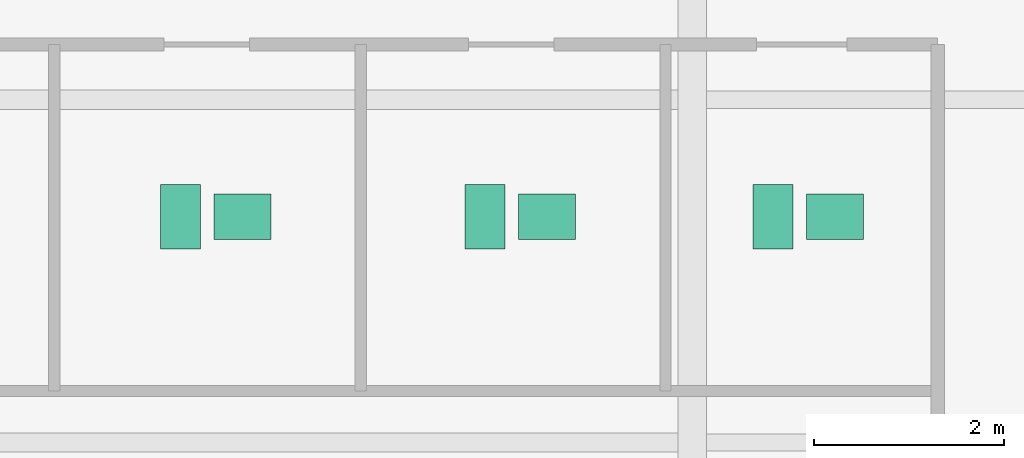
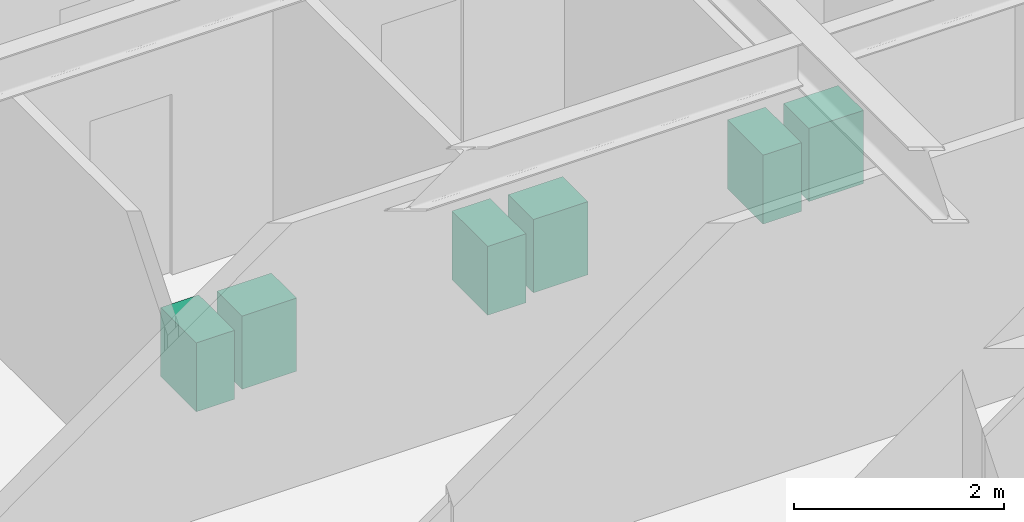
# One storey, part 26 of 26: 6 sanitary terminals.
"""IFC4 building model written with IfcOpenShell, lengths in metres."""

from ifc_helpers import new_model, si_unit, direction, frame, origin, origin_2d, place, context, subcontext, project, spatial, rectangle, extrude, source, transform, mapped, material, type_object, type_shapes, element, save


model = new_model("IFC4")

# Units and contexts
model_context = context("Model", 3, precision=1e-05, world=origin(), true_north=direction((0.0, 1.0)))
body_context = subcontext(model_context, "Body", "Model", "MODEL_VIEW")
ifc_project = project(units=[si_unit("LENGTHUNIT", "METRE"), si_unit("AREAUNIT", "SQUARE_METRE"), si_unit("VOLUMEUNIT", "CUBIC_METRE"), si_unit("PLANEANGLEUNIT", "RADIAN"), si_unit("MASSUNIT", "GRAM", prefix="KILO")], contexts=[model_context])

# Site, building, storey
site_placement = place(None, origin())
site = spatial("IfcSite", under=ifc_project, at=site_placement, CompositionType="ELEMENT")
building_placement = place(site_placement, origin())
building = spatial("IfcBuilding", under=site, at=building_placement, Name="Krantzveldt Concourse Tower", CompositionType="ELEMENT")
storey_placement = place(building_placement, frame((0.0, 0.0, 129.550048828125)))
storey = spatial("IfcBuildingStorey", under=building, at=storey_placement, Name="L31", CompositionType="ELEMENT", Elevation=129.550048828125)

# Sanitary terminals
ifc_material = material(Name="Vitreous china", Category="ceramic")
sanitary_terminal_type_1 = type_object("IfcSanitaryTerminalType", Name="SAN-WC-SUITE", PredefinedType="TOILETPAN", material=ifc_material)
shared_shape_1 = source(origin(), body_context, "Body", "SweptSolid", [
    extrude(rectangle(XDim=0.419921875, YDim=0.679931640625, at=origin_2d()), origin(), (0.0, 0.0, 1.0), 0.800048828125),
])
type_shapes(sanitary_terminal_type_1, [shared_shape_1])
for number, where, z_axis, x_axis, name in (
    (1, (36.02490234375, 32.570068359375, 0.0), (0.0, 0.0, 1.0), (1.0, 0.0, 0.0), "WC-SP-L31-WCM"),
    (2, (39.22509765625, 32.570068359375, 0.0), (0.0, 0.0, 1.0), (1.0, 0.0, 0.0), "WC-SP-L31-WCF"),
    (3, (42.25, 32.570068359375, 0.0), (0.0, 0.0, 1.0), (1.0, 0.0, 0.0), "WC-SP-L31-WCA"),
):
    element("IfcSanitaryTerminal", number, at=place(storey_placement, frame(where, z_axis=z_axis, x_axis=x_axis)), inside=storey, type_object=sanitary_terminal_type_1, Name=name, PredefinedType="TOILETPAN", context=body_context, shape_type="MappedRepresentation", body=[
        mapped(shared_shape_1, transform((0.0, 0.0, 0.0), x_axis=(1.0, 0.0, 0.0), y_axis=(0.0, 1.0, 0.0), z_axis=(0.0, 0.0, 1.0), scale=1.0)),
    ])
sanitary_terminal_type_2 = type_object("IfcSanitaryTerminalType", Name="SAN-BASIN-600", PredefinedType="WASHHANDBASIN", material=ifc_material)
shared_shape_2 = source(origin(), body_context, "Body", "SweptSolid", [
    extrude(rectangle(XDim=0.60009765625, YDim=0.47998046875, at=origin_2d()), origin(), (0.0, 0.0, 1.0), 0.85009765625),
])
type_shapes(sanitary_terminal_type_2, [shared_shape_2])
for number, where, z_axis, x_axis, name in (
    (4, (36.675048828125, 32.570068359375, 0.0048828125), (0.0, 0.0, 1.0), (1.0, 0.0, 0.0), "BSN-SP-L31-WCM"),
    (5, (39.875, 32.570068359375, 0.0048828125), (0.0, 0.0, 1.0), (1.0, 0.0, 0.0), "BSN-SP-L31-WCF"),
    (6, (42.89990234375, 32.570068359375, 0.0048828125), (0.0, 0.0, 1.0), (1.0, 0.0, 0.0), "BSN-SP-L31-WCA"),
):
    element("IfcSanitaryTerminal", number, at=place(storey_placement, frame(where, z_axis=z_axis, x_axis=x_axis)), inside=storey, type_object=sanitary_terminal_type_2, Name=name, PredefinedType="WASHHANDBASIN", context=body_context, shape_type="MappedRepresentation", body=[
        mapped(shared_shape_2, transform((0.0, 0.0, 0.0), x_axis=(1.0, 0.0, 0.0), y_axis=(0.0, 1.0, 0.0), z_axis=(0.0, 0.0, 1.0), scale=1.0)),
    ])

save(model, "model.ifc")
